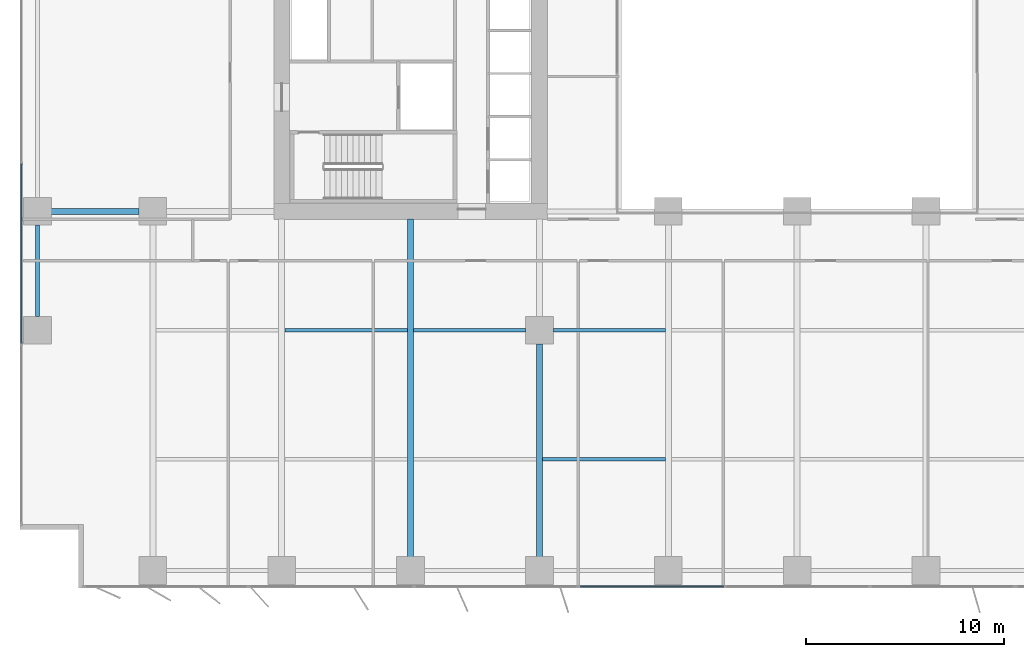
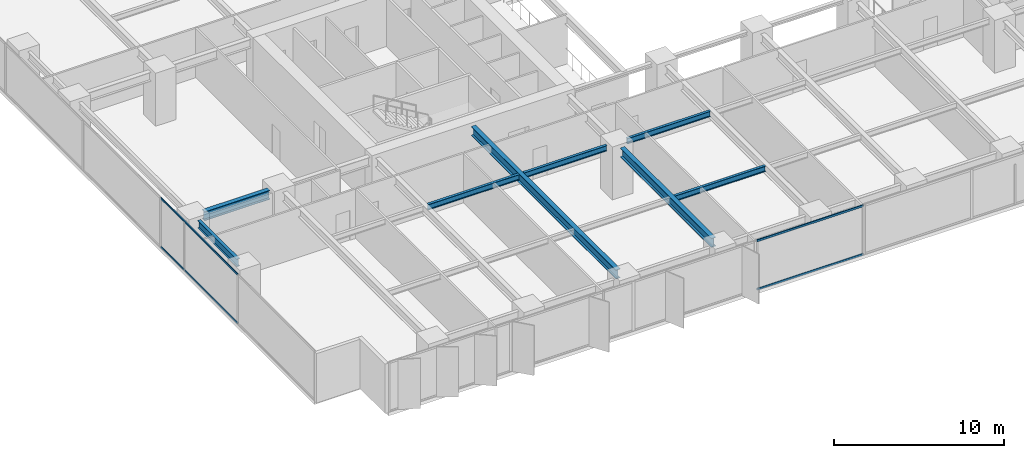
# One storey, part 3 of 20: 8 beams, 4 members, 2 elements without a shape of their own.
"""IFC4 building model written with IfcOpenShell, lengths in metres."""

import ifcopenshell
import ifcopenshell.guid

model = None  # the IFC model being written
_history = None  # IfcOwnerHistory: only IFC2X3 demands one
_inside = {}  # id of a spatial element -> (the spatial element, [elements in it])
_under = {}  # id of a project, library or spatial element -> (it, [spatial elements below it])
_declared = {}  # id of a project -> (the project, [libraries it declares])
_typed = {}  # id of a type object -> (the type object, [elements of that type])
_made_of = {}  # id of a material, layer set ... -> (it, [elements and type objects made of it])


def new_model(schema):
    """Start an empty IFC model of exactly this schema.

    Asked for "IFC4X3", IfcOpenShell would pick the latest addendum, in which some entities
    have other attributes; the version numbers below select the first issue.
    IFC2X3 requires an IfcOwnerHistory on every rooted entity: one is made here for all.
    """
    global model, _history
    if schema == "IFC4X3":
        model = ifcopenshell.file(schema_version=(4, 3, 0, 0))
    else:
        model = ifcopenshell.file(schema=schema)
    _inside.clear()
    _under.clear()
    _declared.clear()
    _typed.clear()
    _made_of.clear()
    _history = None
    if model.schema == "IFC2X3":
        org = make("IfcOrganization", Name="unknown")
        user = make(
            "IfcPersonAndOrganization",
            ThePerson=make("IfcPerson", FamilyName="unknown"),
            TheOrganization=org,
        )
        app = make(
            "IfcApplication",
            ApplicationDeveloper=org,
            Version="unknown",
            ApplicationFullName="unknown",
            ApplicationIdentifier="unknown",
        )
        _history = make(
            "IfcOwnerHistory",
            OwningUser=user,
            OwningApplication=app,
            ChangeAction="ADDED",
            CreationDate=0,
        )
    return model


def make(cls, **values):
    """One entity of the class cls with the attributes given. An attribute that is None is left unset."""
    return model.create_entity(
        cls, **{name: value for name, value in values.items() if value is not None}
    )


def rooted(cls, **values):
    """An entity with a GlobalId (a new one), such as an element, a storey or a relation."""
    return make(cls, GlobalId=ifcopenshell.guid.new(), OwnerHistory=_history, **values)


def si_unit(unit_type, name, prefix=None):
    """IfcSIUnit, for example si_unit("LENGTHUNIT", "METRE", prefix="MILLI")."""
    return make("IfcSIUnit", UnitType=unit_type, Prefix=prefix, Name=name)


def assignment(units):
    """IfcUnitAssignment: the units of a project."""
    return None if units is None else make("IfcUnitAssignment", Units=units)


def point(xyz):
    """IfcCartesianPoint."""
    return None if xyz is None else make("IfcCartesianPoint", Coordinates=xyz)


def direction(xyz):
    """IfcDirection."""
    return None if xyz is None else make("IfcDirection", DirectionRatios=xyz)


def frame(location, z_axis=None, x_axis=None):
    """IfcAxis2Placement3D, a coordinate frame: its origin and axes. An axis left out is left unset."""
    return make(
        "IfcAxis2Placement3D",
        Location=point(location),
        Axis=direction(z_axis),
        RefDirection=direction(x_axis),
    )


def frame_2d(location, x_axis=None):
    """IfcAxis2Placement2D, a coordinate frame in the plane: its origin and x axis."""
    return make(
        "IfcAxis2Placement2D", Location=point(location), RefDirection=direction(x_axis)
    )


def origin():
    """The frame at (0, 0, 0) with its axes left unset."""
    return frame((0.0, 0.0, 0.0))


def origin_2d():
    """The frame at (0, 0) in the plane with its x axis left unset."""
    return frame_2d((0.0, 0.0))


def place(relative_to, where):
    """IfcLocalPlacement: puts the frame where relative to a parent placement (None: the world)."""
    return make(
        "IfcLocalPlacement", PlacementRelTo=relative_to, RelativePlacement=where
    )


def context(
    kind, dimensions, precision=None, world=None, true_north=None, identifier=None
):
    """IfcGeometricRepresentationContext, for example the 3D "Model" context."""
    return make(
        "IfcGeometricRepresentationContext",
        ContextIdentifier=identifier,
        ContextType=kind,
        CoordinateSpaceDimension=dimensions,
        Precision=precision,
        WorldCoordinateSystem=world,
        TrueNorth=true_north,
    )


def subcontext(parent, identifier, kind, view, scale=None):
    """IfcGeometricRepresentationSubContext, for example "Body" below "Model"."""
    return make(
        "IfcGeometricRepresentationSubContext",
        ContextIdentifier=identifier,
        ContextType=kind,
        ParentContext=parent,
        TargetScale=scale,
        TargetView=view,
    )


def project(units=None, contexts=None):
    """IfcProject with its units and contexts."""
    return rooted(
        "IfcProject",
        Name="project",
        RepresentationContexts=contexts,
        UnitsInContext=assignment(units),
    )


def spatial(cls, under=None, at=None, **own):
    """A site, building, storey or space (cls), placed at a placement, below another one or the project."""
    s = rooted(cls, ObjectPlacement=at, **own)
    if under is not None:
        _under.setdefault(under.id(), (under, []))[1].append(s)
    return s


def profile(cls, at=None, kind="AREA", **sizes):
    """A parametric profile (cls). Its sizes go by their IFC names, for example OverallWidth=200.0."""
    return make(cls, ProfileType=kind, Position=at, **sizes)


def rectangle(**sizes):
    """IfcRectangleProfileDef."""
    return profile("IfcRectangleProfileDef", **sizes)


def i_section(**sizes):
    """IfcIShapeProfileDef."""
    return profile("IfcIShapeProfileDef", **sizes)


def extrude(swept, where, along, depth):
    """IfcExtrudedAreaSolid: the profile swept, set in the frame where, extruded along a direction by depth."""
    return make(
        "IfcExtrudedAreaSolid",
        SweptArea=swept,
        Position=where,
        ExtrudedDirection=direction(along),
        Depth=depth,
    )


def shape(context_of_items, identifier, shape_type, items):
    """IfcShapeRepresentation: the items that make up one representation, for example the "Body"."""
    return make(
        "IfcShapeRepresentation",
        ContextOfItems=context_of_items,
        RepresentationIdentifier=identifier,
        RepresentationType=shape_type,
        Items=items,
    )


def material(Name=None, Category=None):
    """IfcMaterial."""
    return make("IfcMaterial", Name=Name, Category=Category)


def layer(
    of_material, thickness, ventilated=None, Name=None, Category=None, Priority=None
):
    """IfcMaterialLayer: one layer of a wall or slab, of a material (None: an air gap)."""
    return make(
        "IfcMaterialLayer",
        Material=of_material,
        LayerThickness=thickness,
        IsVentilated=ventilated,
        Name=Name,
        Category=Category,
        Priority=Priority,
    )


def layer_set(layers, Name=None):
    """IfcMaterialLayerSet."""
    return make("IfcMaterialLayerSet", MaterialLayers=layers, LayerSetName=Name)


def material_profile(
    of_material, cross_section, Name=None, Category=None, Priority=None
):
    """IfcMaterialProfile: a cross section and its material."""
    return make(
        "IfcMaterialProfile",
        Name=Name,
        Material=of_material,
        Profile=cross_section,
        Priority=Priority,
        Category=Category,
    )


def profile_set(profiles, Name=None, composite=None):
    """IfcMaterialProfileSet."""
    return make(
        "IfcMaterialProfileSet",
        Name=Name,
        MaterialProfiles=profiles,
        CompositeProfile=composite,
    )


def made_of(thing, what):
    """Note that an element or type object is made of a material, layer set ...; save() writes the relation."""
    if what is not None:
        _made_of.setdefault(what.id(), (what, []))[1].append(thing)
    return thing


def type_object(cls, material=None, **own):
    """A type object (cls), such as IfcWallType, which elements share."""
    return made_of(rooted(cls, **own), material)


def element(
    cls,
    number,
    at=None,
    inside=None,
    cuts=None,
    type_object=None,
    material=None,
    context=None,
    identifier="Body",
    shape_type=None,
    held_by="IfcProductDefinitionShape",
    body=None,
    shapes=None,
    **own,
):
    """One element of the class cls, such as IfcWall. Its Tag is "e" and its number.

    at: its placement. inside: the storey or other place that contains it. cuts: it is an
    opening in that element (IfcRelVoidsElement). A single representation is given by context,
    identifier, shape_type and body (its items); several are given by shapes. held_by: the class
    of the entity that holds the representations. save() writes the other relations.
    """
    e = rooted(cls, Tag="e%d" % number, ObjectPlacement=at, **own)
    if body is not None:
        shapes = [shape(context, identifier, shape_type, body)]
    if shapes is not None:
        e.Representation = make(held_by, Representations=shapes)
    if inside is not None:
        _inside.setdefault(inside.id(), (inside, []))[1].append(e)
    if cuts is not None:
        rooted(
            "IfcRelVoidsElement", RelatingBuildingElement=cuts, RelatedOpeningElement=e
        )
    if type_object is not None:
        _typed.setdefault(type_object.id(), (type_object, []))[1].append(e)
    return made_of(e, material)


def aggregate(whole, parts):
    """IfcRelAggregates: a whole, such as a stair, and the parts it consists of."""
    return rooted("IfcRelAggregates", RelatingObject=whole, RelatedObjects=parts)


def save(model, path):
    """Write the relations noted so far, then the file.

    IfcRelAggregates (storeys below a building ...), IfcRelContainedInSpatialStructure (elements
    in a storey), IfcRelDefinesByType, IfcRelAssociatesMaterial and IfcRelDeclares: one each for
    every whole, place, type object, material and project.
    """
    for whole, parts in _under.values():
        aggregate(whole, parts)
    for where, things in _inside.values():
        rooted(
            "IfcRelContainedInSpatialStructure",
            RelatedElements=things,
            RelatingStructure=where,
        )
    for kind, things in _typed.values():
        rooted("IfcRelDefinesByType", RelatedObjects=things, RelatingType=kind)
    for what, things in _made_of.values():
        rooted("IfcRelAssociatesMaterial", RelatedObjects=things, RelatingMaterial=what)
    for by, libraries in _declared.values():
        rooted("IfcRelDeclares", RelatingContext=by, RelatedDefinitions=libraries)
    model.write(path)


model = new_model("IFC4")

# Units and contexts
model_context = context("Model", 3, precision=1e-05, world=origin(), true_north=direction((0.0, 1.0)))
body_context = subcontext(model_context, "Body", "Model", "MODEL_VIEW")
ifc_project = project(units=[si_unit("LENGTHUNIT", "METRE"), si_unit("AREAUNIT", "SQUARE_METRE"), si_unit("VOLUMEUNIT", "CUBIC_METRE"), si_unit("PLANEANGLEUNIT", "RADIAN"), si_unit("MASSUNIT", "GRAM", prefix="KILO")], contexts=[model_context])

# Site, building, storey
site_placement = place(None, origin())
site = spatial("IfcSite", under=ifc_project, at=site_placement, CompositionType="ELEMENT")
building_placement = place(site_placement, origin())
building = spatial("IfcBuilding", under=site, at=building_placement, Name="Putna Gate Headquarters", CompositionType="ELEMENT")
storey_placement = place(building_placement, frame((0.0, 0.0, 62.0)))
storey = spatial("IfcBuildingStorey", under=building, at=storey_placement, Name="L14", CompositionType="ELEMENT", Elevation=62.0)

# Beams
ifc_material_1 = material(Name="Steel S355J2", Category="steel")
ifc_material_profile_1 = material_profile(ifc_material_1, i_section(OverallWidth=0.300048828125, OverallDepth=0.64990234375, WebThickness=0.01611328125, FlangeThickness=0.031005859375, at=origin_2d()), Name="Steel S355J2")
ifc_profile_set_1 = profile_set([ifc_material_profile_1], Name="Steel S355J2")
beam_type_1 = type_object("IfcBeamType", Name="BM-GIRD-Z1-HEB650", PredefinedType="USERDEFINED", material=ifc_profile_set_1)
beam_1_placement = place(storey_placement, frame((1.367919921875, 19.0, 3.22509765625), z_axis=(1.0, 0.0, 0.0), x_axis=(0.0, 1.0, 0.0)))
element("IfcBeam", 1, at=beam_1_placement, inside=storey, type_object=beam_type_1, Name="L14 West Wing Girder Y19-1", ObjectType="GIRDER", PredefinedType="USERDEFINED", context=body_context, shape_type="SweptSolid", body=[
    extrude(i_section(OverallWidth=0.300048828125, OverallDepth=0.64990234375, WebThickness=0.01611328125, FlangeThickness=0.031005859375, at=origin_2d()), origin(), (0.0, 0.0, 1.0), 4.444091796875),
])
beam_2_placement = place(storey_placement, frame((19.5, 1.568115234375, 3.22509765625), z_axis=(0.0, 1.0, 0.0), x_axis=(-1.0, 0.0, 0.0)))
element("IfcBeam", 2, at=beam_2_placement, inside=storey, type_object=beam_type_1, Name="L14 South Primary Girder X19", ObjectType="GIRDER", PredefinedType="USERDEFINED", context=body_context, shape_type="SweptSolid", body=[
    extrude(i_section(OverallWidth=0.300048828125, OverallDepth=0.64990234375, WebThickness=0.01611328125, FlangeThickness=0.031005859375, at=origin_2d()), origin(), (0.0, 0.0, 1.0), 17.046875),
])
beam_3_placement = place(storey_placement, frame((26.0, 1.568115234375, 3.22509765625), z_axis=(0.0, 1.0, 0.0), x_axis=(-1.0, 0.0, 0.0)))
element("IfcBeam", 3, at=beam_3_placement, inside=storey, type_object=beam_type_1, Name="L14 South Primary Girder X26-1", ObjectType="GIRDER", PredefinedType="USERDEFINED", context=body_context, shape_type="SweptSolid", body=[
    extrude(i_section(OverallWidth=0.300048828125, OverallDepth=0.64990234375, WebThickness=0.01611328125, FlangeThickness=0.031005859375, at=origin_2d()), origin(), (0.0, 0.0, 1.0), 10.743896484375),
])
ifc_material_profile_2 = material_profile(ifc_material_1, i_section(OverallWidth=0.179931640625, OverallDepth=0.39990234375, WebThickness=0.008544921875, FlangeThickness=0.013427734375, at=origin_2d()), Name="Steel S355J2")
ifc_profile_set_2 = profile_set([ifc_material_profile_2], Name="Steel S355J2")
beam_type_2 = type_object("IfcBeamType", Name="BM-SEC-Z1-IPE400", PredefinedType="BEAM", material=ifc_profile_set_2)
beam_4_placement = place(storey_placement, frame((13.154052734375, 13.0, 3.35009765625), z_axis=(1.0, 0.0, 0.0), x_axis=(0.0, 1.0, 0.0)))
element("IfcBeam", 4, at=beam_4_placement, inside=storey, type_object=beam_type_2, Name="L14 South Secondary Beam 2", PredefinedType="BEAM", context=body_context, shape_type="SweptSolid", body=[
    extrude(i_section(OverallWidth=0.179931640625, OverallDepth=0.39990234375, WebThickness=0.008544921875, FlangeThickness=0.013427734375, at=origin_2d()), origin(), (0.0, 0.0, 1.0), 6.19189453125),
])
beam_5_placement = place(storey_placement, frame((19.654052734375, 13.0, 3.35009765625), z_axis=(1.0, 0.0, 0.0), x_axis=(0.0, 1.0, 0.0)))
element("IfcBeam", 5, at=beam_5_placement, inside=storey, type_object=beam_type_2, Name="L14 South Secondary Beam 3", PredefinedType="BEAM", context=body_context, shape_type="SweptSolid", body=[
    extrude(i_section(OverallWidth=0.179931640625, OverallDepth=0.39990234375, WebThickness=0.008544921875, FlangeThickness=0.013427734375, at=origin_2d()), origin(), (0.0, 0.0, 1.0), 5.657958984375),
])
beam_6_placement = place(storey_placement, frame((26.154052734375, 6.5, 3.35009765625), z_axis=(1.0, 0.0, 0.0), x_axis=(0.0, 1.0, 0.0)))
element("IfcBeam", 6, at=beam_6_placement, inside=storey, type_object=beam_type_2, Name="L14 South Secondary Beam 4", PredefinedType="BEAM", context=body_context, shape_type="SweptSolid", body=[
    extrude(i_section(OverallWidth=0.179931640625, OverallDepth=0.39990234375, WebThickness=0.008544921875, FlangeThickness=0.013427734375, at=origin_2d()), origin(), (0.0, 0.0, 1.0), 6.19189453125),
])
beam_7_placement = place(storey_placement, frame((26.68798828125, 13.0, 3.35009765625), z_axis=(1.0, 0.0, 0.0), x_axis=(0.0, 1.0, 0.0)))
element("IfcBeam", 7, at=beam_7_placement, inside=storey, type_object=beam_type_2, Name="L14 South Secondary Beam 4", PredefinedType="BEAM", context=body_context, shape_type="SweptSolid", body=[
    extrude(i_section(OverallWidth=0.179931640625, OverallDepth=0.39990234375, WebThickness=0.008544921875, FlangeThickness=0.013427734375, at=origin_2d()), origin(), (0.0, 0.0, 1.0), 5.657958984375),
])
ifc_material_profile_3 = material_profile(ifc_material_1, i_section(OverallWidth=0.2099609375, OverallDepth=0.550048828125, WebThickness=0.010986328125, FlangeThickness=0.01708984375, at=origin_2d()), Name="Steel S355J2")
ifc_profile_set_3 = profile_set([ifc_material_profile_3], Name="Steel S355J2")
beam_type_3 = type_object("IfcBeamType", Name="BM-SPAN-Z1-IPE550", PredefinedType="SPANDREL", material=ifc_profile_set_3)
beam_8_placement = place(storey_placement, frame((0.679931640625, 13.68798828125, 3.27490234375), z_axis=(0.0, 1.0, 0.0), x_axis=(-1.0, 0.0, 0.0)))
element("IfcBeam", 8, at=beam_8_placement, inside=storey, type_object=beam_type_3, Name="L14 W End Spandrel 1", PredefinedType="SPANDREL", context=body_context, shape_type="SweptSolid", body=[
    extrude(i_section(OverallWidth=0.2099609375, OverallDepth=0.550048828125, WebThickness=0.010986328125, FlangeThickness=0.01708984375, at=origin_2d()), origin(), (0.0, 0.0, 1.0), 4.6240234375),
])

# Curtain wall, members
ifc_material_2 = material(Name="Anodised bronze aluminium curtain wall", Category="aluminium")
ifc_layer_1 = layer(ifc_material_2, 0.179931640625)
ifc_layer_set_1 = layer_set([ifc_layer_1], Name="Anodised bronze aluminium curtain wall")
curtain_wall_type_1 = type_object("IfcCurtainWallType", Name="CW-SYS-Z1", PredefinedType="USERDEFINED", material=ifc_layer_set_1)
curtain_wall_1_placement = place(storey_placement, origin())
curtain_wall_1 = element("IfcCurtainWall", 9, at=curtain_wall_1_placement, inside=storey, type_object=curtain_wall_type_1, Name="L14 West Curtain Wall", ObjectType="STICK CURTAIN WALL", PredefinedType="USERDEFINED")
ifc_material_3 = material(Name="Anodised bronze aluminium EN AW-6060", Category="aluminium")
ifc_material_profile_4 = material_profile(ifc_material_3, rectangle(XDim=0.06494140625, YDim=0.1201171875, at=origin_2d()), Name="Anodised bronze aluminium EN AW-6060")
ifc_profile_set_4 = profile_set([ifc_material_profile_4], Name="Anodised bronze aluminium EN AW-6060")
member_type_1 = type_object("IfcMemberType", Name="TRAN-CWT-1", PredefinedType="USERDEFINED", material=ifc_profile_set_4)
member_1_placement = place(storey_placement, frame((-0.1201171875, 12.35498046875, 0.032470703125), z_axis=(0.0, 1.0, 0.0), x_axis=(-1.0, 0.0, 0.0)))
member_1 = element("IfcMember", 10, at=member_1_placement, type_object=member_type_1, Name="CWS-1 transom 2.1", ObjectType="TRANSOM", PredefinedType="USERDEFINED", context=body_context, shape_type="SweptSolid", body=[
    extrude(rectangle(XDim=0.06494140625, YDim=0.1201171875, at=origin_2d()), origin(), (0.0, 0.0, 1.0), 9.050048828125),
])
member_2_placement = place(storey_placement, frame((-0.1201171875, 12.35498046875, 3.517578125), z_axis=(0.0, 1.0, 0.0), x_axis=(-1.0, 0.0, 0.0)))
member_2 = element("IfcMember", 11, at=member_2_placement, type_object=member_type_1, Name="CWS-1 transom 2.2", ObjectType="TRANSOM", PredefinedType="USERDEFINED", context=body_context, shape_type="SweptSolid", body=[
    extrude(rectangle(XDim=0.06494140625, YDim=0.1201171875, at=origin_2d()), origin(), (0.0, 0.0, 1.0), 9.050048828125),
])
aggregate(curtain_wall_1, [member_1, member_2])

ifc_layer_2 = layer(ifc_material_2, 0.179931640625)
ifc_layer_set_2 = layer_set([ifc_layer_2], Name="Anodised bronze aluminium curtain wall")
curtain_wall_type_2 = type_object("IfcCurtainWallType", Name="CW-SYS-ATR", PredefinedType="USERDEFINED", material=ifc_layer_set_2)
curtain_wall_2_placement = place(storey_placement, origin())
curtain_wall_2 = element("IfcCurtainWall", 12, at=curtain_wall_2_placement, inside=storey, type_object=curtain_wall_type_2, Name="L14 South Atrium Clear Glazing", ObjectType="ATRIUM GLAZING", PredefinedType="USERDEFINED")
ifc_material_profile_5 = material_profile(ifc_material_3, rectangle(XDim=0.070068359375, YDim=0.139892578125, at=origin_2d()), Name="Anodised bronze aluminium EN AW-6060")
ifc_profile_set_5 = profile_set([ifc_material_profile_5], Name="Anodised bronze aluminium EN AW-6060")
member_type_2 = type_object("IfcMemberType", Name="TRAN-CWT-AT", PredefinedType="USERDEFINED", material=ifc_profile_set_5)
member_3_placement = place(storey_placement, frame((28.070068359375, 0.080078125, 0.034912109375), z_axis=(1.0, 0.0, 0.0), x_axis=(0.0, 1.0, 0.0)))
member_3 = element("IfcMember", 13, at=member_3_placement, type_object=member_type_2, Name="CWS-AT transom 1.1", ObjectType="TRANSOM", PredefinedType="USERDEFINED", context=body_context, shape_type="SweptSolid", body=[
    extrude(rectangle(XDim=0.070068359375, YDim=0.139892578125, at=origin_2d()), origin(), (0.0, 0.0, 1.0), 7.228271484375),
])
member_4_placement = place(storey_placement, frame((28.070068359375, 0.080078125, 3.514892578125), z_axis=(1.0, 0.0, 0.0), x_axis=(0.0, 1.0, 0.0)))
member_4 = element("IfcMember", 14, at=member_4_placement, type_object=member_type_2, Name="CWS-AT transom 1.2", ObjectType="TRANSOM", PredefinedType="USERDEFINED", context=body_context, shape_type="SweptSolid", body=[
    extrude(rectangle(XDim=0.070068359375, YDim=0.139892578125, at=origin_2d()), origin(), (0.0, 0.0, 1.0), 7.228271484375),
])
aggregate(curtain_wall_2, [member_3, member_4])

save(model, "model.ifc")
